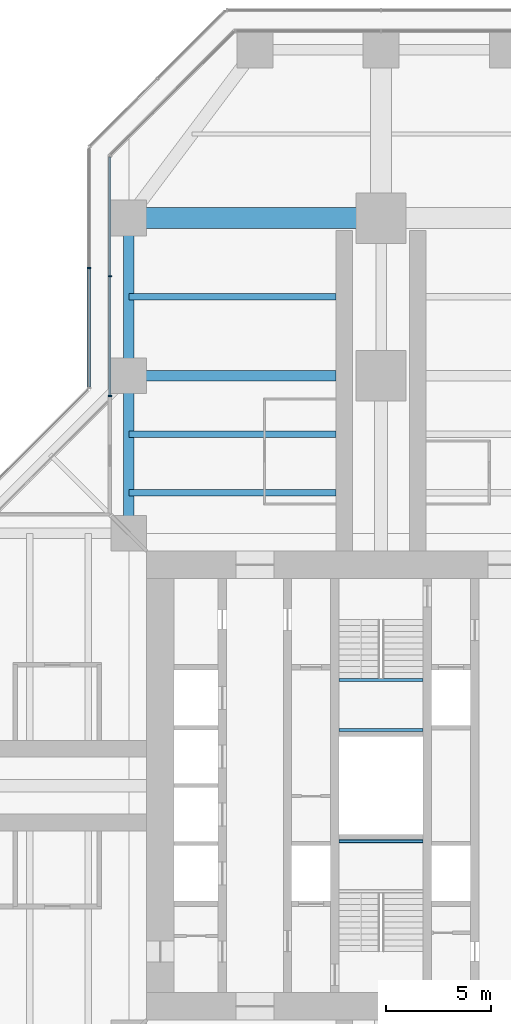
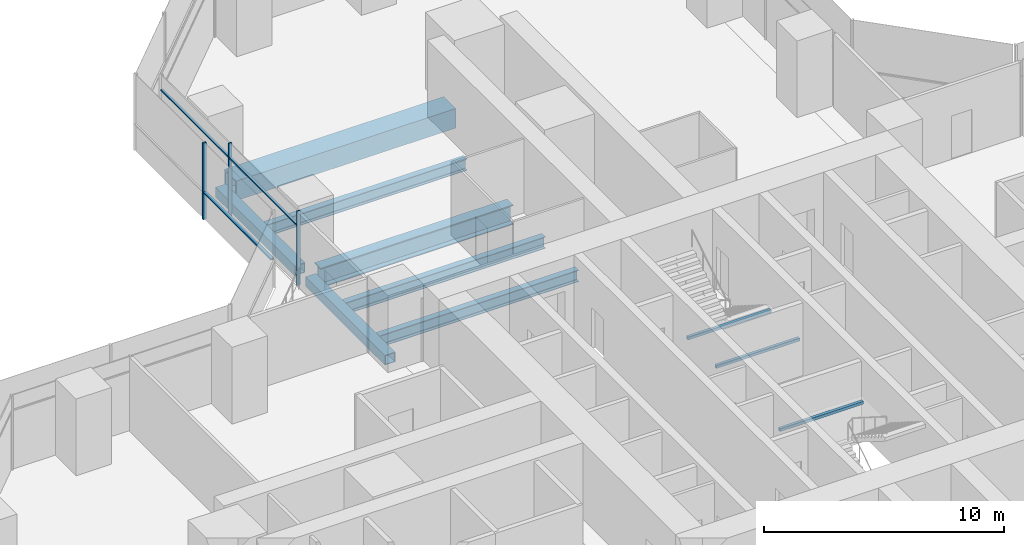
# One storey, part 9 of 22: 10 beams, 6 members, 2 elements without a shape of their own.
"""IFC4 building model written with IfcOpenShell, lengths in metres."""

import ifcopenshell
import ifcopenshell.guid

model = None  # the IFC model being written
_history = None  # IfcOwnerHistory: only IFC2X3 demands one
_inside = {}  # id of a spatial element -> (the spatial element, [elements in it])
_under = {}  # id of a project, library or spatial element -> (it, [spatial elements below it])
_declared = {}  # id of a project -> (the project, [libraries it declares])
_typed = {}  # id of a type object -> (the type object, [elements of that type])
_made_of = {}  # id of a material, layer set ... -> (it, [elements and type objects made of it])


def new_model(schema):
    """Start an empty IFC model of exactly this schema.

    Asked for "IFC4X3", IfcOpenShell would pick the latest addendum, in which some entities
    have other attributes; the version numbers below select the first issue.
    IFC2X3 requires an IfcOwnerHistory on every rooted entity: one is made here for all.
    """
    global model, _history
    if schema == "IFC4X3":
        model = ifcopenshell.file(schema_version=(4, 3, 0, 0))
    else:
        model = ifcopenshell.file(schema=schema)
    _inside.clear()
    _under.clear()
    _declared.clear()
    _typed.clear()
    _made_of.clear()
    _history = None
    if model.schema == "IFC2X3":
        org = make("IfcOrganization", Name="unknown")
        user = make(
            "IfcPersonAndOrganization",
            ThePerson=make("IfcPerson", FamilyName="unknown"),
            TheOrganization=org,
        )
        app = make(
            "IfcApplication",
            ApplicationDeveloper=org,
            Version="unknown",
            ApplicationFullName="unknown",
            ApplicationIdentifier="unknown",
        )
        _history = make(
            "IfcOwnerHistory",
            OwningUser=user,
            OwningApplication=app,
            ChangeAction="ADDED",
            CreationDate=0,
        )
    return model


def make(cls, **values):
    """One entity of the class cls with the attributes given. An attribute that is None is left unset."""
    return model.create_entity(
        cls, **{name: value for name, value in values.items() if value is not None}
    )


def rooted(cls, **values):
    """An entity with a GlobalId (a new one), such as an element, a storey or a relation."""
    return make(cls, GlobalId=ifcopenshell.guid.new(), OwnerHistory=_history, **values)


def si_unit(unit_type, name, prefix=None):
    """IfcSIUnit, for example si_unit("LENGTHUNIT", "METRE", prefix="MILLI")."""
    return make("IfcSIUnit", UnitType=unit_type, Prefix=prefix, Name=name)


def assignment(units):
    """IfcUnitAssignment: the units of a project."""
    return None if units is None else make("IfcUnitAssignment", Units=units)


def point(xyz):
    """IfcCartesianPoint."""
    return None if xyz is None else make("IfcCartesianPoint", Coordinates=xyz)


def direction(xyz):
    """IfcDirection."""
    return None if xyz is None else make("IfcDirection", DirectionRatios=xyz)


def frame(location, z_axis=None, x_axis=None):
    """IfcAxis2Placement3D, a coordinate frame: its origin and axes. An axis left out is left unset."""
    return make(
        "IfcAxis2Placement3D",
        Location=point(location),
        Axis=direction(z_axis),
        RefDirection=direction(x_axis),
    )


def frame_2d(location, x_axis=None):
    """IfcAxis2Placement2D, a coordinate frame in the plane: its origin and x axis."""
    return make(
        "IfcAxis2Placement2D", Location=point(location), RefDirection=direction(x_axis)
    )


def origin():
    """The frame at (0, 0, 0) with its axes left unset."""
    return frame((0.0, 0.0, 0.0))


def origin_2d():
    """The frame at (0, 0) in the plane with its x axis left unset."""
    return frame_2d((0.0, 0.0))


def place(relative_to, where):
    """IfcLocalPlacement: puts the frame where relative to a parent placement (None: the world)."""
    return make(
        "IfcLocalPlacement", PlacementRelTo=relative_to, RelativePlacement=where
    )


def context(
    kind, dimensions, precision=None, world=None, true_north=None, identifier=None
):
    """IfcGeometricRepresentationContext, for example the 3D "Model" context."""
    return make(
        "IfcGeometricRepresentationContext",
        ContextIdentifier=identifier,
        ContextType=kind,
        CoordinateSpaceDimension=dimensions,
        Precision=precision,
        WorldCoordinateSystem=world,
        TrueNorth=true_north,
    )


def subcontext(parent, identifier, kind, view, scale=None):
    """IfcGeometricRepresentationSubContext, for example "Body" below "Model"."""
    return make(
        "IfcGeometricRepresentationSubContext",
        ContextIdentifier=identifier,
        ContextType=kind,
        ParentContext=parent,
        TargetScale=scale,
        TargetView=view,
    )


def project(units=None, contexts=None):
    """IfcProject with its units and contexts."""
    return rooted(
        "IfcProject",
        Name="project",
        RepresentationContexts=contexts,
        UnitsInContext=assignment(units),
    )


def spatial(cls, under=None, at=None, **own):
    """A site, building, storey or space (cls), placed at a placement, below another one or the project."""
    s = rooted(cls, ObjectPlacement=at, **own)
    if under is not None:
        _under.setdefault(under.id(), (under, []))[1].append(s)
    return s


def profile(cls, at=None, kind="AREA", **sizes):
    """A parametric profile (cls). Its sizes go by their IFC names, for example OverallWidth=200.0."""
    return make(cls, ProfileType=kind, Position=at, **sizes)


def rectangle(**sizes):
    """IfcRectangleProfileDef."""
    return profile("IfcRectangleProfileDef", **sizes)


def hollow_rectangle(**sizes):
    """IfcRectangleHollowProfileDef."""
    return profile("IfcRectangleHollowProfileDef", **sizes)


def i_section(**sizes):
    """IfcIShapeProfileDef."""
    return profile("IfcIShapeProfileDef", **sizes)


def extrude(swept, where, along, depth):
    """IfcExtrudedAreaSolid: the profile swept, set in the frame where, extruded along a direction by depth."""
    return make(
        "IfcExtrudedAreaSolid",
        SweptArea=swept,
        Position=where,
        ExtrudedDirection=direction(along),
        Depth=depth,
    )


def shape(context_of_items, identifier, shape_type, items):
    """IfcShapeRepresentation: the items that make up one representation, for example the "Body"."""
    return make(
        "IfcShapeRepresentation",
        ContextOfItems=context_of_items,
        RepresentationIdentifier=identifier,
        RepresentationType=shape_type,
        Items=items,
    )


def material(Name=None, Category=None):
    """IfcMaterial."""
    return make("IfcMaterial", Name=Name, Category=Category)


def material_profile(
    of_material, cross_section, Name=None, Category=None, Priority=None
):
    """IfcMaterialProfile: a cross section and its material."""
    return make(
        "IfcMaterialProfile",
        Name=Name,
        Material=of_material,
        Profile=cross_section,
        Priority=Priority,
        Category=Category,
    )


def profile_set(profiles, Name=None, composite=None):
    """IfcMaterialProfileSet."""
    return make(
        "IfcMaterialProfileSet",
        Name=Name,
        MaterialProfiles=profiles,
        CompositeProfile=composite,
    )


def made_of(thing, what):
    """Note that an element or type object is made of a material, layer set ...; save() writes the relation."""
    if what is not None:
        _made_of.setdefault(what.id(), (what, []))[1].append(thing)
    return thing


def type_object(cls, material=None, **own):
    """A type object (cls), such as IfcWallType, which elements share."""
    return made_of(rooted(cls, **own), material)


def element(
    cls,
    number,
    at=None,
    inside=None,
    cuts=None,
    type_object=None,
    material=None,
    context=None,
    identifier="Body",
    shape_type=None,
    held_by="IfcProductDefinitionShape",
    body=None,
    shapes=None,
    **own,
):
    """One element of the class cls, such as IfcWall. Its Tag is "e" and its number.

    at: its placement. inside: the storey or other place that contains it. cuts: it is an
    opening in that element (IfcRelVoidsElement). A single representation is given by context,
    identifier, shape_type and body (its items); several are given by shapes. held_by: the class
    of the entity that holds the representations. save() writes the other relations.
    """
    e = rooted(cls, Tag="e%d" % number, ObjectPlacement=at, **own)
    if body is not None:
        shapes = [shape(context, identifier, shape_type, body)]
    if shapes is not None:
        e.Representation = make(held_by, Representations=shapes)
    if inside is not None:
        _inside.setdefault(inside.id(), (inside, []))[1].append(e)
    if cuts is not None:
        rooted(
            "IfcRelVoidsElement", RelatingBuildingElement=cuts, RelatedOpeningElement=e
        )
    if type_object is not None:
        _typed.setdefault(type_object.id(), (type_object, []))[1].append(e)
    return made_of(e, material)


def aggregate(whole, parts):
    """IfcRelAggregates: a whole, such as a stair, and the parts it consists of."""
    return rooted("IfcRelAggregates", RelatingObject=whole, RelatedObjects=parts)


def save(model, path):
    """Write the relations noted so far, then the file.

    IfcRelAggregates (storeys below a building ...), IfcRelContainedInSpatialStructure (elements
    in a storey), IfcRelDefinesByType, IfcRelAssociatesMaterial and IfcRelDeclares: one each for
    every whole, place, type object, material and project.
    """
    for whole, parts in _under.values():
        aggregate(whole, parts)
    for where, things in _inside.values():
        rooted(
            "IfcRelContainedInSpatialStructure",
            RelatedElements=things,
            RelatingStructure=where,
        )
    for kind, things in _typed.values():
        rooted("IfcRelDefinesByType", RelatedObjects=things, RelatingType=kind)
    for what, things in _made_of.values():
        rooted("IfcRelAssociatesMaterial", RelatedObjects=things, RelatingMaterial=what)
    for by, libraries in _declared.values():
        rooted("IfcRelDeclares", RelatingContext=by, RelatedDefinitions=libraries)
    model.write(path)


model = new_model("IFC4")

# Units and contexts
model_context = context("Model", 3, precision=1e-05, world=origin(), true_north=direction((0.0, 1.0)))
body_context = subcontext(model_context, "Body", "Model", "MODEL_VIEW")
ifc_project = project(units=[si_unit("LENGTHUNIT", "METRE"), si_unit("AREAUNIT", "SQUARE_METRE"), si_unit("VOLUMEUNIT", "CUBIC_METRE"), si_unit("PLANEANGLEUNIT", "RADIAN"), si_unit("MASSUNIT", "GRAM", prefix="KILO")], contexts=[model_context])

# Site, building, storey
site_placement = place(None, origin())
site = spatial("IfcSite", under=ifc_project, at=site_placement, CompositionType="ELEMENT")
building_placement = place(site_placement, origin())
building = spatial("IfcBuilding", under=site, at=building_placement, Name="Mizan Broadcast Tower", CompositionType="ELEMENT")
storey_placement = place(building_placement, frame((0.0, 0.0, 55.199951171875)))
storey = spatial("IfcBuildingStorey", under=building, at=storey_placement, Name="L10", CompositionType="ELEMENT", Elevation=55.199951171875)

# Beams
ifc_material_1 = material(Name="Steel S355", Category="steel")
ifc_material_profile_1 = material_profile(ifc_material_1, hollow_rectangle(XDim=0.5, YDim=0.5, WallThickness=0.030029296875, at=origin_2d()), Name="BOX 500x500x30")
ifc_profile_set_1 = profile_set([ifc_material_profile_1], Name="Steel S355")
beam_type_1 = type_object("IfcBeamType", Name="EDGE BEAM BOX 500x500x30", PredefinedType="SPANDREL", material=ifc_profile_set_1)
for number, where, z_axis, x_axis, name in (
    (1, (-12.0, 12.449951171875, -0.3798828125), (0.0, 1.0, 0.0), (-1.0, 0.0, 0.0), "Edge beam BOX 500x500x30 L10 north arm"),
    (2, (-12.0, 19.949951171875, -0.3798828125), (0.0, 1.0, 0.0), (-1.0, 0.0, 0.0), "Edge beam BOX 500x500x30 L10 north arm"),
):
    element("IfcBeam", number, at=place(storey_placement, frame(where, z_axis=z_axis, x_axis=x_axis)), inside=storey, type_object=beam_type_1, Name=name, PredefinedType="SPANDREL", context=body_context, shape_type="SweptSolid", body=[
        extrude(hollow_rectangle(XDim=0.5, YDim=0.5, WallThickness=0.030029296875, at=origin_2d()), origin(), (0.0, 0.0, 1.0), 6.60009765625),
    ])
ifc_material_2 = material(Name="Steel S460", Category="steel")
ifc_material_profile_2 = material_profile(ifc_material_2, hollow_rectangle(XDim=1.0, YDim=1.0, WallThickness=0.080078125, at=origin_2d()), Name="BOX 1000x1000x80")
ifc_profile_set_2 = profile_set([ifc_material_profile_2], Name="Steel S460")
beam_type_2 = type_object("IfcBeamType", Name="GIRDER BOX 1000x1000x80", PredefinedType="BEAM", material=ifc_profile_set_2)
beam_1_placement = place(storey_placement, frame((-11.280029296875, 27.0, -0.6298828125), z_axis=(1.0, 0.0, 0.0), x_axis=(0.0, 1.0, 0.0)))
element("IfcBeam", 3, at=beam_1_placement, inside=storey, type_object=beam_type_2, Name="Girder BOX 1000x1000x80 L10 north arm", PredefinedType="BEAM", context=body_context, shape_type="SweptSolid", body=[
    extrude(hollow_rectangle(XDim=1.0, YDim=1.0, WallThickness=0.080078125, at=origin_2d()), origin(), (0.0, 0.0, 1.0), 10.56005859375),
])
ifc_material_3 = material(Name="Steel S460", Category="steel")
ifc_material_profile_3 = material_profile(ifc_material_3, i_section(OverallWidth=0.5, OverallDepth=1.0, WebThickness=0.02490234375, FlangeThickness=0.050048828125, at=origin_2d()), Name="WPG 1000x500")
ifc_profile_set_3 = profile_set([ifc_material_profile_3], Name="Steel S460")
beam_type_3 = type_object("IfcBeamType", Name="GIRDER WPG 1000x500", PredefinedType="BEAM", material=ifc_profile_set_3)
beam_2_placement = place(storey_placement, frame((-11.408935546875, 19.5, -0.6298828125), z_axis=(1.0, 0.0, 0.0), x_axis=(0.0, 1.0, 0.0)))
element("IfcBeam", 4, at=beam_2_placement, inside=storey, type_object=beam_type_3, Name="Girder WPG 1000x500 L10 north arm", PredefinedType="BEAM", context=body_context, shape_type="SweptSolid", body=[
    extrude(i_section(OverallWidth=0.5, OverallDepth=1.0, WebThickness=0.02490234375, FlangeThickness=0.050048828125, at=origin_2d()), origin(), (0.0, 0.0, 1.0), 9.259033203125),
])

# Curtain wall, members
ifc_material_4 = material(Name="Aluminium framed glazing", Category="aluminium")
curtain_wall_type_1 = type_object("IfcCurtainWallType", Name="INNER SKIN LOW ZONE", PredefinedType="USERDEFINED", material=ifc_material_4)
curtain_wall_1_placement = place(storey_placement, origin())
curtain_wall_1 = element("IfcCurtainWall", 5, at=curtain_wall_1_placement, inside=storey, type_object=curtain_wall_type_1, Name="Inner skin low zone L10 N side", ObjectType="INNER SKIN LOW ZONE", PredefinedType="USERDEFINED")
ifc_material_5 = material(Name="Aluminium, pale anodised", Category="aluminium")
ifc_material_profile_4 = material_profile(ifc_material_5, rectangle(XDim=0.159912109375, YDim=0.06005859375, at=origin_2d()), Name="MULLION 160x60")
ifc_profile_set_4 = profile_set([ifc_material_profile_4], Name="Aluminium, pale anodised")
member_type_1 = type_object("IfcMemberType", Name="INNER SKIN MULLION 60x160", PredefinedType="MULLION", material=ifc_profile_set_4)
member_1_placement = place(storey_placement, frame((-12.89990234375, 24.229248046875, 0.0), z_axis=(0.0, 0.0, 1.0), x_axis=(1.0, 0.0, 0.0)))
member_1 = element("IfcMember", 6, at=member_1_placement, type_object=member_type_1, Name="Inner skin low zone L10 N side mullion 2", PredefinedType="MULLION", context=body_context, shape_type="SweptSolid", body=[
    extrude(rectangle(XDim=0.159912109375, YDim=0.06005859375, at=origin_2d()), origin(), (0.0, 0.0, 1.0), 3.77001953125),
])
member_2_placement = place(storey_placement, frame((-12.89990234375, 18.530029296875, 0.0), z_axis=(0.0, 0.0, 1.0), x_axis=(1.0, 0.0, 0.0)))
member_2 = element("IfcMember", 7, at=member_2_placement, type_object=member_type_1, Name="Inner skin low zone L10 N side mullion 3", PredefinedType="MULLION", context=body_context, shape_type="SweptSolid", body=[
    extrude(rectangle(XDim=0.159912109375, YDim=0.06005859375, at=origin_2d()), origin(), (0.0, 0.0, 1.0), 3.77001953125),
])
ifc_material_6 = material(Name="Aluminium, pale anodised", Category="aluminium")
ifc_material_profile_5 = material_profile(ifc_material_6, rectangle(XDim=0.1201171875, YDim=0.06005859375, at=origin_2d()), Name="TRANSOM 120x60")
ifc_profile_set_5 = profile_set([ifc_material_profile_5], Name="Aluminium, pale anodised")
member_type_2 = type_object("IfcMemberType", Name="INNER SKIN TRANSOM 60x120", PredefinedType="USERDEFINED", material=ifc_profile_set_5)
member_3_placement = place(storey_placement, frame((-12.89990234375, 29.898681640625, 3.030029296875), z_axis=(0.0, -1.0, 0.0), x_axis=(1.0, 0.0, 0.0)))
member_3 = element("IfcMember", 8, at=member_3_placement, type_object=member_type_2, Name="Inner skin low zone L10 N side transom 1.1", ObjectType="TRANSOM", PredefinedType="USERDEFINED", context=body_context, shape_type="SweptSolid", body=[
    extrude(rectangle(XDim=0.1201171875, YDim=0.06005859375, at=origin_2d()), origin(), (0.0, 0.0, 1.0), 5.639404296875),
])
member_4_placement = place(storey_placement, frame((-12.89990234375, 24.19921875, 3.030029296875), z_axis=(0.0, -1.0, 0.0), x_axis=(1.0, 0.0, 0.0)))
member_4 = element("IfcMember", 9, at=member_4_placement, type_object=member_type_2, Name="Inner skin low zone L10 N side transom 2.1", ObjectType="TRANSOM", PredefinedType="USERDEFINED", context=body_context, shape_type="SweptSolid", body=[
    extrude(rectangle(XDim=0.1201171875, YDim=0.06005859375, at=origin_2d()), origin(), (0.0, 0.0, 1.0), 5.63916015625),
])
aggregate(curtain_wall_1, [member_1, member_2, member_3, member_4])

# Beams
ifc_material_7 = material(Name="Steel S355", Category="steel")
ifc_material_profile_6 = material_profile(ifc_material_7, hollow_rectangle(XDim=0.14990234375, YDim=0.14990234375, WallThickness=0.008056640625, InnerFilletRadius=0.008056640625, OuterFilletRadius=0.011962890625, at=origin_2d()), Name="SHS 150x150x8")
ifc_profile_set_6 = profile_set([ifc_material_profile_6], Name="Steel S355")
beam_type_4 = type_object("IfcBeamType", Name="LANDING TRIMMER SHS 150x150x8", PredefinedType="BEAM", material=ifc_profile_set_6)
for number, where, z_axis, x_axis, name in (
    (10, (-2.0, -2.64990234375, 1.675048828125), (1.0, 0.0, 0.0), (0.0, 1.0, 0.0), "Stair A landing trimmer L10"),
    (11, (2.0, 5.02490234375, 1.675048828125), (-1.0, 0.0, 0.0), (0.0, -1.0, 0.0), "Stair B landing trimmer L10"),
    (12, (2.0, 2.64990234375, 1.675048828125), (-1.0, 0.0, 0.0), (0.0, -1.0, 0.0), "Stair B landing trimmer L10"),
):
    element("IfcBeam", number, at=place(storey_placement, frame(where, z_axis=z_axis, x_axis=x_axis)), inside=storey, type_object=beam_type_4, Name=name, PredefinedType="BEAM", context=body_context, shape_type="SweptSolid", body=[
        extrude(hollow_rectangle(XDim=0.14990234375, YDim=0.14990234375, WallThickness=0.008056640625, InnerFilletRadius=0.008056640625, OuterFilletRadius=0.011962890625, at=origin_2d()), origin(), (0.0, 0.0, 1.0), 4.0),
    ])

# Curtain wall, members
ifc_material_8 = material(Name="Aluminium framed glazing", Category="aluminium")
curtain_wall_type_2 = type_object("IfcCurtainWallType", Name="OUTER SKIN", PredefinedType="USERDEFINED", material=ifc_material_8)
curtain_wall_2_placement = place(storey_placement, origin())
curtain_wall_2 = element("IfcCurtainWall", 13, at=curtain_wall_2_placement, inside=storey, type_object=curtain_wall_type_2, Name="Outer skin L10 N side", ObjectType="OUTER SKIN", PredefinedType="USERDEFINED")
ifc_material_9 = material(Name="Aluminium, pale anodised", Category="aluminium")
ifc_material_profile_7 = material_profile(ifc_material_9, rectangle(XDim=0.159912109375, YDim=0.080078125, at=origin_2d()), Name="MULLION 160x80")
ifc_profile_set_7 = profile_set([ifc_material_profile_7], Name="Aluminium, pale anodised")
member_type_3 = type_object("IfcMemberType", Name="OUTER SKIN MULLION 80x160", PredefinedType="MULLION", material=ifc_profile_set_7)
member_5_placement = place(storey_placement, frame((-13.89990234375, 24.622802734375, 0.0), z_axis=(0.0, 0.0, 1.0), x_axis=(1.0, 0.0, 0.0)))
member_5 = element("IfcMember", 14, at=member_5_placement, type_object=member_type_3, Name="Outer skin L10 N side mullion 2", PredefinedType="MULLION", context=body_context, shape_type="SweptSolid", body=[
    extrude(rectangle(XDim=0.159912109375, YDim=0.080078125, at=origin_2d()), origin(), (0.0, 0.0, 1.0), 3.900146484375),
])
ifc_material_10 = material(Name="Aluminium, pale anodised", Category="aluminium")
ifc_material_profile_8 = material_profile(ifc_material_10, rectangle(XDim=0.159912109375, YDim=0.06005859375, at=origin_2d()), Name="TRANSOM 160x60")
ifc_profile_set_8 = profile_set([ifc_material_profile_8], Name="Aluminium, pale anodised")
member_type_4 = type_object("IfcMemberType", Name="OUTER SKIN TRANSOM 60x160", PredefinedType="USERDEFINED", material=ifc_profile_set_8)
member_6_placement = place(storey_placement, frame((-13.89990234375, 24.582763671875, 1.400146484375), z_axis=(0.0, -1.0, 0.0), x_axis=(1.0, 0.0, 0.0)))
member_6 = element("IfcMember", 15, at=member_6_placement, type_object=member_type_4, Name="Outer skin L10 N side transom 2.1", ObjectType="TRANSOM", PredefinedType="USERDEFINED", context=body_context, shape_type="SweptSolid", body=[
    extrude(rectangle(XDim=0.159912109375, YDim=0.06005859375, at=origin_2d()), origin(), (0.0, 0.0, 1.0), 5.6298828125),
])
aggregate(curtain_wall_2, [member_5, member_6])

# Beams
ifc_material_11 = material(Name="Steel S355", Category="steel")
ifc_material_profile_9 = material_profile(ifc_material_11, i_section(OverallWidth=0.300048828125, OverallDepth=0.590087890625, WebThickness=0.012939453125, FlangeThickness=0.02490234375, FilletRadius=0.027099609375, at=origin_2d()), Name="HEA 600")
ifc_profile_set_9 = profile_set([ifc_material_profile_9], Name="Steel S355")
beam_type_5 = type_object("IfcBeamType", Name="SECONDARY BEAM HEA 600", PredefinedType="JOIST", material=ifc_profile_set_9)
for number, where, z_axis, x_axis, name in (
    (16, (-12.0, 13.933349609375, -0.425048828125), (1.0, 0.0, 0.0), (0.0, 1.0, 0.0), "Secondary beam HEA 600 L10 north arm"),
    (17, (-12.0, 16.716552734375, -0.425048828125), (1.0, 0.0, 0.0), (0.0, 1.0, 0.0), "Secondary beam HEA 600 L10 north arm"),
    (18, (-12.0, 23.25, -0.425048828125), (1.0, 0.0, 0.0), (0.0, 1.0, 0.0), "Secondary beam HEA 600 L10 north arm"),
):
    element("IfcBeam", number, at=place(storey_placement, frame(where, z_axis=z_axis, x_axis=x_axis)), inside=storey, type_object=beam_type_5, Name=name, PredefinedType="JOIST", context=body_context, shape_type="SweptSolid", body=[
        extrude(i_section(OverallWidth=0.300048828125, OverallDepth=0.590087890625, WebThickness=0.012939453125, FlangeThickness=0.02490234375, FilletRadius=0.027099609375, at=origin_2d()), origin(), (0.0, 0.0, 1.0), 9.85009765625),
    ])

save(model, "model.ifc")
